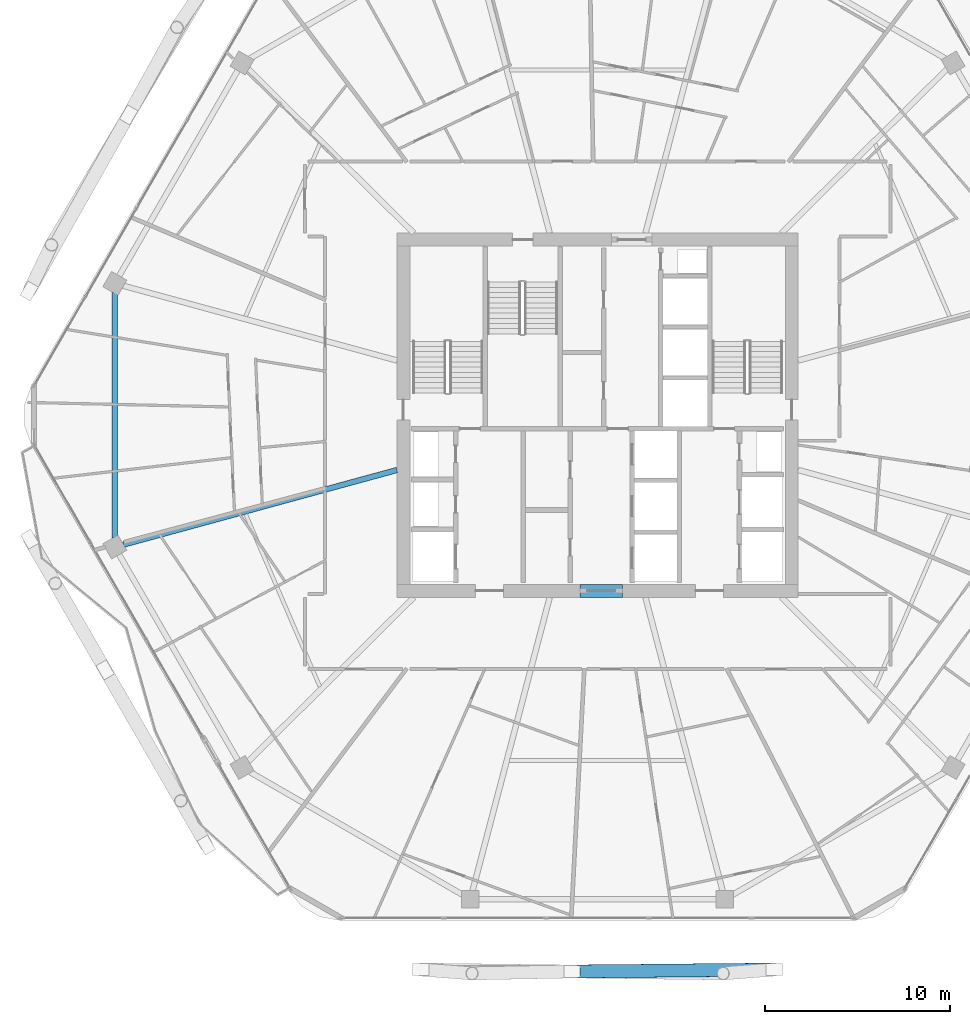
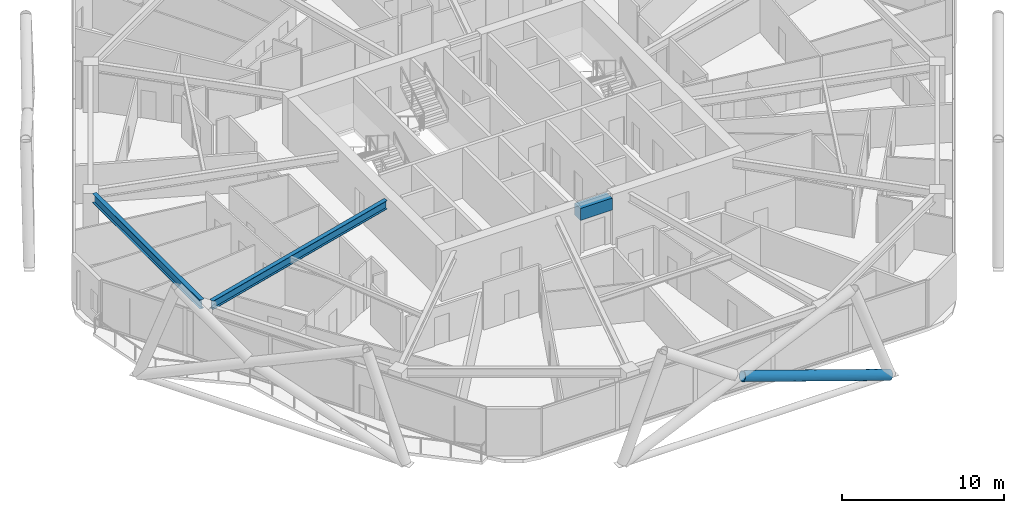
# One storey, part 6 of 29: 3 beams, 1 member.
"""IFC4 building model written with IfcOpenShell, lengths in metres."""

from ifc_helpers import new_model, si_unit, direction, frame, origin, origin_2d, place, context, subcontext, project, spatial, rectangle, hollow_circle, i_section, extrude, material, material_profile, profile_set, type_object, element, save


model = new_model("IFC4")

# Units and contexts
model_context = context("Model", 3, precision=1e-05, world=origin(), true_north=direction((0.0, 1.0)))
body_context = subcontext(model_context, "Body", "Model", "MODEL_VIEW")
ifc_project = project(units=[si_unit("LENGTHUNIT", "METRE"), si_unit("AREAUNIT", "SQUARE_METRE"), si_unit("VOLUMEUNIT", "CUBIC_METRE"), si_unit("PLANEANGLEUNIT", "RADIAN"), si_unit("MASSUNIT", "GRAM", prefix="KILO")], contexts=[model_context])

# Site, building, storey
site_placement = place(None, origin())
site = spatial("IfcSite", under=ifc_project, at=site_placement, CompositionType="ELEMENT")
building_placement = place(site_placement, origin())
building = spatial("IfcBuilding", under=site, at=building_placement, Name="Zuhravey Tower", CompositionType="ELEMENT")
storey_placement = place(building_placement, frame((0.0, 0.0, 192.199951171875)))
storey = spatial("IfcBuildingStorey", under=building, at=storey_placement, Name="L48", CompositionType="ELEMENT", Elevation=192.199951171875)

# Beam
ifc_material_1 = material(Name="Concrete C60/75", Category="concrete")
ifc_material_profile_1 = material_profile(ifc_material_1, rectangle(XDim=0.699951171875, YDim=0.89990234375, at=origin_2d()), Name="RC-700x900")
ifc_profile_set_1 = profile_set([ifc_material_profile_1], Name="Concrete C60/75")
beam_type_1 = type_object("IfcBeamType", Name="Core Coupling Beam RC700x900", PredefinedType="LINTEL", material=ifc_profile_set_1)
beam_1_placement = place(storey_placement, frame((35.052001953125, 22.5, 3.10009765625), z_axis=(1.0, 0.0, 0.0), x_axis=(0.0, 1.0, 0.0)))
element("IfcBeam", 1, at=beam_1_placement, inside=storey, type_object=beam_type_1, Name="L48 CB1 BM-L48-CB-S", PredefinedType="LINTEL", context=body_context, shape_type="SweptSolid", body=[
    extrude(rectangle(XDim=0.699951171875, YDim=0.89990234375, at=origin_2d()), origin(), (0.0, 0.0, 1.0), 2.2958984375),
])

# Member
ifc_material_2 = material(Name="Steel SM460", Category="steel")
ifc_material_profile_2 = material_profile(ifc_material_2, hollow_circle(Radius=0.355712890625, WallThickness=0.031982421875, at=origin_2d()), Name="CHS-711.2x32")
ifc_profile_set_2 = profile_set([ifc_material_profile_2], Name="Steel SM460")
member_type = type_object("IfcMemberType", Name="Exoskeleton Zone 2 Diagrid CHS711x32", PredefinedType="BRACE", material=ifc_profile_set_2)
member_placement = place(storey_placement, frame((45.51025390625, 2.0263671875, -0.448486328125), z_axis=(-0.944614850122, -0.009053886156, 0.328056111167), x_axis=(0.009584298094, -0.99995406956, 0.0)))
element("IfcMember", 2, at=member_placement, inside=storey, type_object=member_type, Name="L48 Face 5 Split Diagrid Brace 3A", PredefinedType="BRACE", context=body_context, shape_type="SweptSolid", body=[
    extrude(hollow_circle(Radius=0.355712890625, WallThickness=0.031982421875, at=origin_2d()), origin(), (0.0, 0.0, 1.0), 11.190673828125),
])

# Beams
ifc_material_3 = material(Name="Steel SM355", Category="steel")
ifc_material_profile_3 = material_profile(ifc_material_3, i_section(OverallWidth=0.300048828125, OverallDepth=0.679931640625, WebThickness=0.012939453125, FlangeThickness=0.02197265625, at=origin_2d()), Name="H-680x300x13x22")
ifc_profile_set_3 = profile_set([ifc_material_profile_3], Name="Steel SM355")
beam_type_2 = type_object("IfcBeamType", Name="Perimeter Ring Beam H680x300", PredefinedType="BEAM", material=ifc_profile_set_3)
beam_2_placement = place(storey_placement, frame((9.892333984375, 38.6484375, 3.2099609375), z_axis=(0.0, -1.0, 0.0), x_axis=(1.0, 0.0, 0.0)))
element("IfcBeam", 3, at=beam_2_placement, inside=storey, type_object=beam_type_2, Name="L48 PB2 BM-L48-PB-06", PredefinedType="BEAM", context=body_context, shape_type="SweptSolid", body=[
    extrude(i_section(OverallWidth=0.300048828125, OverallDepth=0.679931640625, WebThickness=0.012939453125, FlangeThickness=0.02197265625, at=origin_2d()), origin(), (0.0, 0.0, 1.0), 13.296875),
])
ifc_material_profile_4 = material_profile(ifc_material_3, i_section(OverallWidth=0.300048828125, OverallDepth=0.64990234375, WebThickness=0.012939453125, FlangeThickness=0.02197265625, at=origin_2d()), Name="H-650x300x13x22")
ifc_profile_set_4 = profile_set([ifc_material_profile_4], Name="Steel SM355")
beam_type_3 = type_object("IfcBeamType", Name="Radial Primary Girder H650x300", PredefinedType="BEAM", material=ifc_profile_set_4)
beam_3_placement = place(storey_placement, frame((25.14697265625, 29.03759765625, 3.22509765625), z_axis=(-0.964701703464, -0.263345065139, 0.0), x_axis=(0.263345065139, -0.964701703464, 0.0)))
element("IfcBeam", 4, at=beam_3_placement, inside=storey, type_object=beam_type_3, Name="L48 RG2 BM-L48-RAD-07", PredefinedType="BEAM", context=body_context, shape_type="SweptSolid", body=[
    extrude(i_section(OverallWidth=0.300048828125, OverallDepth=0.64990234375, WebThickness=0.012939453125, FlangeThickness=0.02197265625, at=origin_2d()), origin(), (0.0, 0.0, 1.0), 15.334716796875),
])

save(model, "model.ifc")
